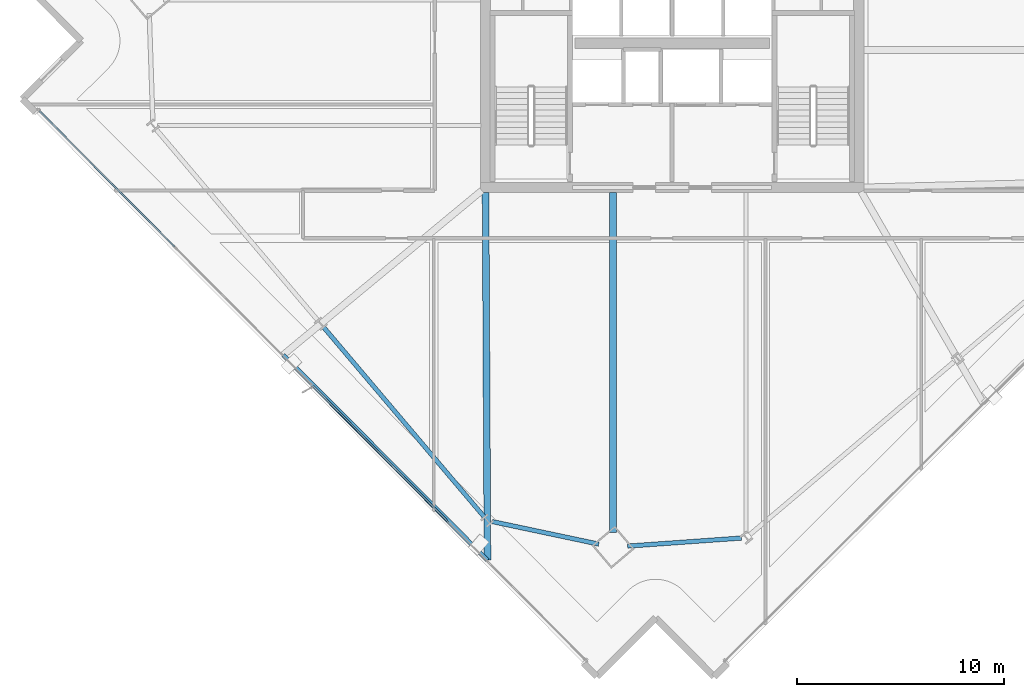
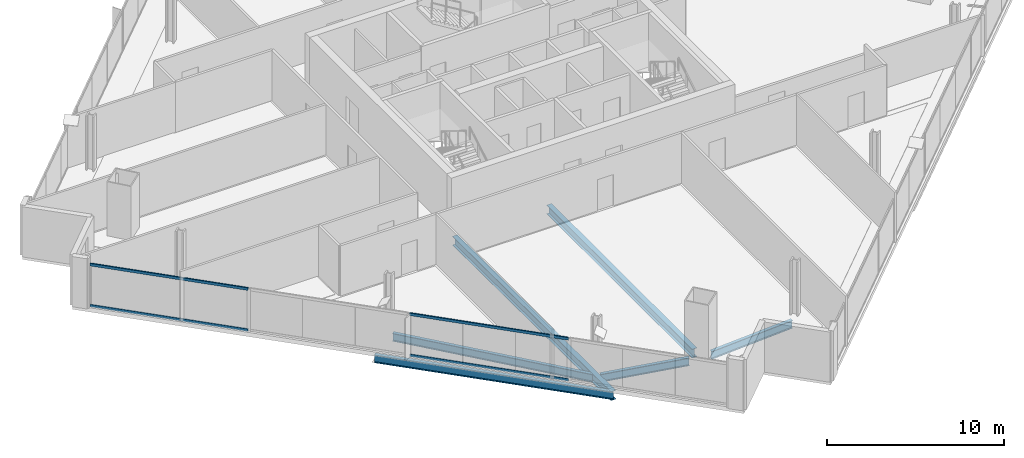
# One storey, part 3 of 32: 6 beams, 4 members, 1 element without a shape of its own.
"""IFC4 building model written with IfcOpenShell, lengths in metres."""

from ifc_helpers import new_model, si_unit, direction, frame, origin, origin_2d, place, context, subcontext, project, spatial, hollow_rectangle, i_section, extrude, material, material_profile, profile_set, type_object, element, aggregate, save


model = new_model("IFC4")

# Units and contexts
model_context = context("Model", 3, precision=1e-05, world=origin(), true_north=direction((0.0, 1.0)))
body_context = subcontext(model_context, "Body", "Model", "MODEL_VIEW")
ifc_project = project(units=[si_unit("LENGTHUNIT", "METRE"), si_unit("AREAUNIT", "SQUARE_METRE"), si_unit("VOLUMEUNIT", "CUBIC_METRE"), si_unit("PLANEANGLEUNIT", "RADIAN"), si_unit("MASSUNIT", "GRAM", prefix="KILO")], contexts=[model_context])

# Site, building, storey
site_placement = place(None, origin())
site = spatial("IfcSite", under=ifc_project, at=site_placement, CompositionType="ELEMENT")
building_placement = place(site_placement, origin())
building = spatial("IfcBuilding", under=site, at=building_placement, Name="Haldenkirk Collegiate Tower", CompositionType="ELEMENT")
storey_placement = place(building_placement, frame((0.0, 0.0, 178.199951171875)))
storey = spatial("IfcBuildingStorey", under=building, at=storey_placement, Name="L44", CompositionType="ELEMENT", Elevation=178.199951171875)

# Beams
ifc_material_1 = material(Name="Steel ASTM A992 Grade 50", Category="steel")
ifc_material_profile_1 = material_profile(ifc_material_1, i_section(OverallWidth=0.324951171875, OverallDepth=0.615966796875, WebThickness=0.013916015625, FlangeThickness=0.021484375, at=origin_2d()), Name="W24X117")
ifc_profile_set_1 = profile_set([ifc_material_profile_1], Name="Steel ASTM A992 Grade 50")
beam_type_1 = type_object("IfcBeamType", Name="BM-GIRDER-W24X117", PredefinedType="BEAM", material=ifc_profile_set_1)
beam_1_placement = place(storey_placement, frame((33.149169921875, 1.36279296875, -0.597900390625), z_axis=(0.0, 1.0, 0.0), x_axis=(-1.0, 0.0, 0.0)))
element("IfcBeam", 1, at=beam_1_placement, inside=storey, type_object=beam_type_1, Name="L44 primary floor girder 01", PredefinedType="BEAM", context=body_context, shape_type="SweptSolid", body=[
    extrude(i_section(OverallWidth=0.324951171875, OverallDepth=0.615966796875, WebThickness=0.013916015625, FlangeThickness=0.021484375, at=origin_2d()), origin(), (0.0, 0.0, 1.0), 16.4072265625),
])
beam_2_placement = place(storey_placement, frame((27.0927734375, 0.0302734375, -0.597900390625), z_axis=(-0.005160813164, 0.999986682915, 0.0), x_axis=(-0.999986682915, -0.005160813164, 0.0)))
element("IfcBeam", 2, at=beam_2_placement, inside=storey, type_object=beam_type_1, Name="L44 primary floor girder 16", PredefinedType="BEAM", context=body_context, shape_type="SweptSolid", body=[
    extrude(i_section(OverallWidth=0.324951171875, OverallDepth=0.615966796875, WebThickness=0.013916015625, FlangeThickness=0.021484375, at=origin_2d()), origin(), (0.0, 0.0, 1.0), 17.739990234375),
])
ifc_material_profile_2 = material_profile(ifc_material_1, i_section(OverallWidth=0.2119140625, OverallDepth=0.5439453125, WebThickness=0.01318359375, FlangeThickness=0.021240234375, at=origin_2d()), Name="W21X83")
ifc_profile_set_2 = profile_set([ifc_material_profile_2], Name="Steel ASTM A992 Grade 50")
beam_type_2 = type_object("IfcBeamType", Name="BM-SPANDREL-W21X83", PredefinedType="SPANDREL", material=ifc_profile_set_2)
beam_3_placement = place(storey_placement, frame((33.852294921875, 0.707763671875, -0.56201171875), z_axis=(0.997489017738, 0.070821320891, 0.0), x_axis=(-0.070821320891, 0.997489017738, 0.0)))
element("IfcBeam", 3, at=beam_3_placement, inside=storey, type_object=beam_type_2, Name="L44 perimeter spandrel beam 01", PredefinedType="SPANDREL", context=body_context, shape_type="SweptSolid", body=[
    extrude(i_section(OverallWidth=0.2119140625, OverallDepth=0.5439453125, WebThickness=0.01318359375, FlangeThickness=0.021240234375, at=origin_2d()), origin(), (0.0, 0.0, 1.0), 5.501953125),
])
beam_4_placement = place(storey_placement, frame((19.202880859375, 11.250732421875, -0.56201171875), z_axis=(0.646115074743, -0.763240008248, 0.0), x_axis=(0.763240008248, 0.646115074743, 0.0)))
element("IfcBeam", 4, at=beam_4_placement, inside=storey, type_object=beam_type_2, Name="L44 perimeter spandrel beam 15", PredefinedType="SPANDREL", context=body_context, shape_type="SweptSolid", body=[
    extrude(i_section(OverallWidth=0.2119140625, OverallDepth=0.5439453125, WebThickness=0.01318359375, FlangeThickness=0.021240234375, at=origin_2d()), origin(), (0.0, 0.0, 1.0), 11.966796875),
])
beam_5_placement = place(storey_placement, frame((27.306884765625, 1.89501953125, -0.56201171875), z_axis=(0.978307627668, -0.207157393416, 0.0), x_axis=(0.207157393416, 0.978307627668, 0.0)))
element("IfcBeam", 5, at=beam_5_placement, inside=storey, type_object=beam_type_2, Name="L44 perimeter spandrel beam 16", PredefinedType="SPANDREL", context=body_context, shape_type="SweptSolid", body=[
    extrude(i_section(OverallWidth=0.2119140625, OverallDepth=0.5439453125, WebThickness=0.01318359375, FlangeThickness=0.021240234375, at=origin_2d()), origin(), (0.0, 0.0, 1.0), 5.266845703125),
])
beam_6_placement = place(storey_placement, frame((17.24609375, 9.9287109375, -0.56201171875), z_axis=(0.705250821489, -0.708957882239, 0.0), x_axis=(0.708957882239, 0.705250821489, 0.0)))
element("IfcBeam", 6, at=beam_6_placement, inside=storey, type_object=beam_type_2, Name="L44 outer facade edge beam 4", PredefinedType="SPANDREL", context=body_context, shape_type="SweptSolid", body=[
    extrude(i_section(OverallWidth=0.2119140625, OverallDepth=0.5439453125, WebThickness=0.01318359375, FlangeThickness=0.021240234375, at=origin_2d()), origin(), (0.0, 0.0, 1.0), 13.9619140625),
])

# Curtain wall, members
ifc_material_2 = material(Name="Anodised architectural bronze aluminium", Category="aluminium")
curtain_wall_type = type_object("IfcCurtainWallType", Name="CW-SYS1-CONVEX-LOW", PredefinedType="USERDEFINED", material=ifc_material_2)
curtain_wall_placement = place(storey_placement, origin())
curtain_wall = element("IfcCurtainWall", 7, at=curtain_wall_placement, inside=storey, type_object=curtain_wall_type, Name="L44 Lower tower convex bronze-framed unitised curtain wall", ObjectType="UNITISED CURTAIN WALL", PredefinedType="USERDEFINED")
ifc_material_profile_3 = material_profile(ifc_material_2, hollow_rectangle(XDim=0.080078125, YDim=0.179931640625, WallThickness=0.0048828125, at=origin_2d()), Name="CW-TRN-1A")
ifc_profile_set_3 = profile_set([ifc_material_profile_3], Name="Anodised architectural bronze aluminium")
member_type = type_object("IfcMemberType", Name="CW-TRN-1A", PredefinedType="USERDEFINED", material=ifc_profile_set_3)
member_1_placement = place(storey_placement, frame((25.221435546875, 1.854736328125, 0.0400390625), z_axis=(-0.705264544204, 0.708944231015, 0.0), x_axis=(-0.708944231015, -0.705264544204, 0.0)))
member_1 = element("IfcMember", 8, at=member_1_placement, type_object=member_type, Name="CW-1A transom 2.1", ObjectType="TRANSOM", PredefinedType="USERDEFINED", context=body_context, shape_type="SweptSolid", body=[
    extrude(hollow_rectangle(XDim=0.080078125, YDim=0.179931640625, WallThickness=0.0048828125, at=origin_2d()), origin(), (0.0, 0.0, 1.0), 9.288818359375),
])
member_2_placement = place(storey_placement, frame((25.221435546875, 1.854736328125, 2.87109375), z_axis=(-0.705264544204, 0.708944231015, 0.0), x_axis=(-0.708944231015, -0.705264544204, 0.0)))
member_2 = element("IfcMember", 9, at=member_2_placement, type_object=member_type, Name="CW-1A transom 2.2", ObjectType="TRANSOM", PredefinedType="USERDEFINED", context=body_context, shape_type="SweptSolid", body=[
    extrude(hollow_rectangle(XDim=0.080078125, YDim=0.179931640625, WallThickness=0.0048828125, at=origin_2d()), origin(), (0.0, 0.0, 1.0), 9.288818359375),
])
member_3_placement = place(storey_placement, frame((12.0068359375, 15.138671875, 0.0400390625), z_axis=(-0.705243357774, 0.708965306849, 0.0), x_axis=(-0.708965306849, -0.705243357774, 0.0)))
member_3 = element("IfcMember", 10, at=member_3_placement, type_object=member_type, Name="CW-1A transom 4.1", ObjectType="TRANSOM", PredefinedType="USERDEFINED", context=body_context, shape_type="SweptSolid", body=[
    extrude(hollow_rectangle(XDim=0.080078125, YDim=0.179931640625, WallThickness=0.0048828125, at=origin_2d()), origin(), (0.0, 0.0, 1.0), 9.248779296875),
])
member_4_placement = place(storey_placement, frame((12.0068359375, 15.138671875, 2.87109375), z_axis=(-0.705243357774, 0.708965306849, 0.0), x_axis=(-0.708965306849, -0.705243357774, 0.0)))
member_4 = element("IfcMember", 11, at=member_4_placement, type_object=member_type, Name="CW-1A transom 4.2", ObjectType="TRANSOM", PredefinedType="USERDEFINED", context=body_context, shape_type="SweptSolid", body=[
    extrude(hollow_rectangle(XDim=0.080078125, YDim=0.179931640625, WallThickness=0.0048828125, at=origin_2d()), origin(), (0.0, 0.0, 1.0), 9.248779296875),
])
aggregate(curtain_wall, [member_1, member_2, member_3, member_4])

save(model, "model.ifc")
